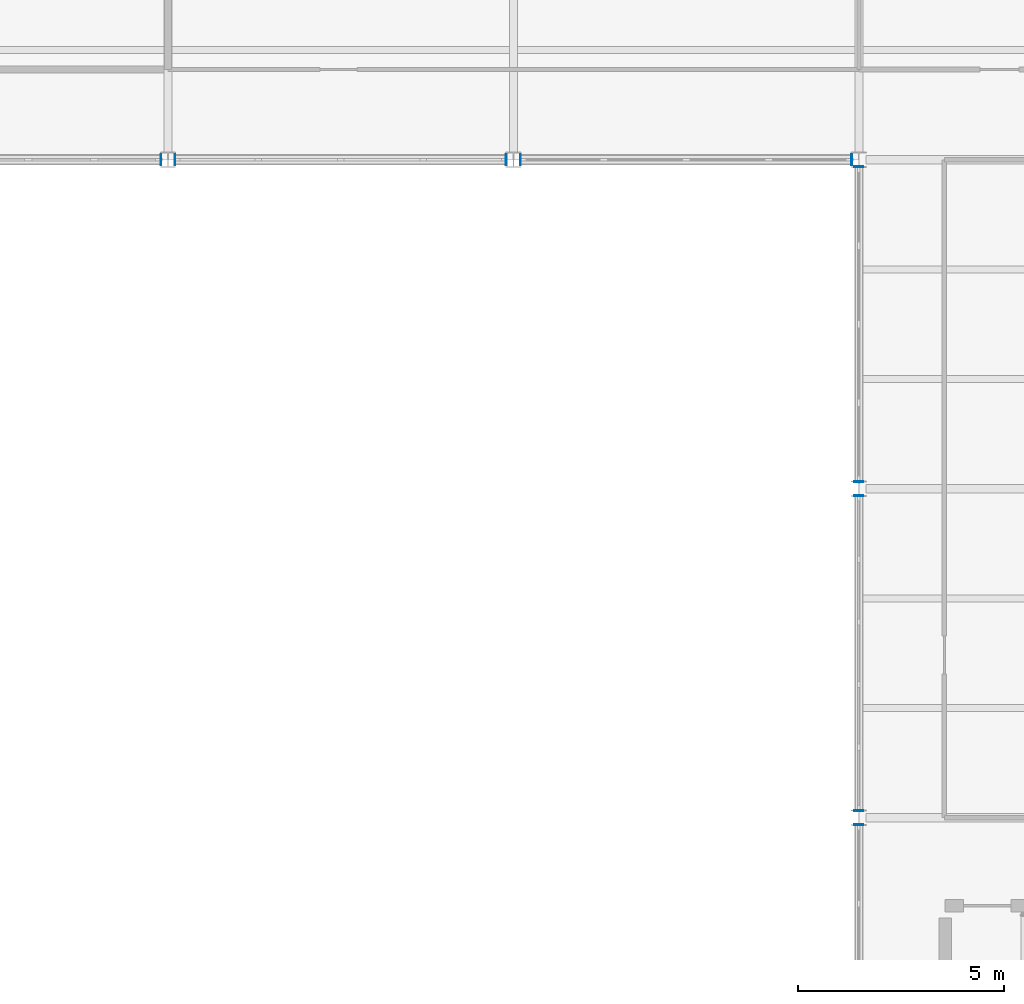
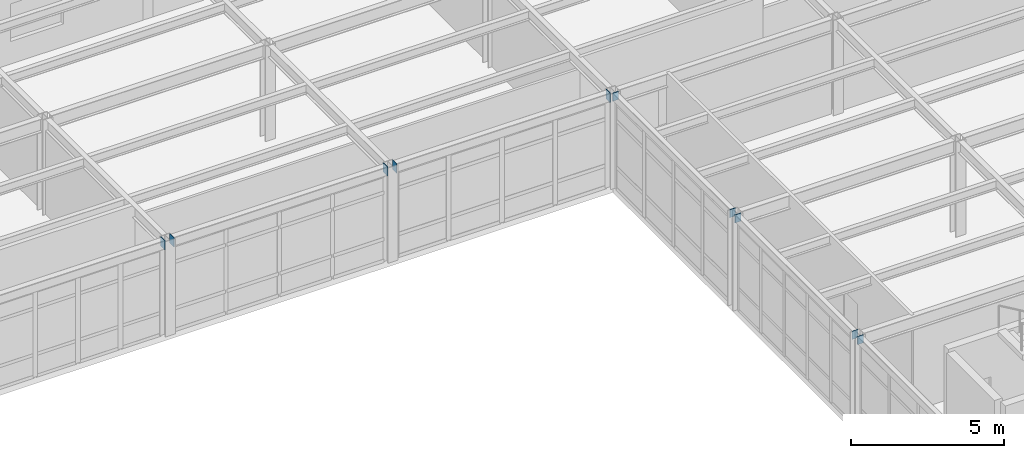
# One storey, part 123 of 138: 10 discrete accessories.
"""IFC4 building model written with IfcOpenShell, lengths in metres."""

from ifc_helpers import new_model, si_unit, direction, frame, origin, origin_2d, place, context, subcontext, project, spatial, rectangle, extrude, material, layer, layer_set, type_object, element, save


model = new_model("IFC4")

# Units and contexts
model_context = context("Model", 3, precision=1e-05, world=origin(), true_north=direction((0.0, 1.0)))
body_context = subcontext(model_context, "Body", "Model", "MODEL_VIEW")
ifc_project = project(units=[si_unit("LENGTHUNIT", "METRE"), si_unit("AREAUNIT", "SQUARE_METRE"), si_unit("VOLUMEUNIT", "CUBIC_METRE"), si_unit("PLANEANGLEUNIT", "RADIAN"), si_unit("MASSUNIT", "GRAM", prefix="KILO")], contexts=[model_context])

# Site, building, storey
site_placement = place(None, origin())
site = spatial("IfcSite", under=ifc_project, at=site_placement, CompositionType="ELEMENT")
building_placement = place(site_placement, origin())
building = spatial("IfcBuilding", under=site, at=building_placement, Name="Kranzveld Transit Interchange", CompositionType="ELEMENT")
storey_placement = place(building_placement, frame((0.0, 0.0, 5.43994140625)))
storey = spatial("IfcBuildingStorey", under=building, at=storey_placement, Name="L01", CompositionType="ELEMENT", Elevation=5.43994140625)

# Discrete accessories
ifc_material = material(Name="Steel S355JR", Category="steel")
ifc_layer = layer(ifc_material, 0.02001953125)
ifc_layer_set = layer_set([ifc_layer], Name="Steel S355JR")
discrete_accessory_type = type_object("IfcDiscreteAccessoryType", Name="Hollow Section End Cap Bracket 20 S355JR", PredefinedType="BRACKET", material=ifc_layer_set)
for number, where, z_axis, x_axis, name in (
    (1, (134.21875, 96.0, 3.625), (1.0, 0.0, 0.0), (0.0, 1.0, 0.0), "Hollow Section End Cap SP-RHS350-2"),
    (2, (134.581298828125, 96.0, 3.625), (-1.0, 0.0, 0.0), (0.0, -1.0, 0.0), "Hollow Section End Cap SP-RHS350-1"),
    (3, (142.61865234375, 96.0, 3.625), (1.0, 0.0, 0.0), (0.0, 1.0, 0.0), "Hollow Section End Cap SP-RHS350-2"),
    (4, (142.981201171875, 96.0, 3.625), (-1.0, 0.0, 0.0), (0.0, -1.0, 0.0), "Hollow Section End Cap SP-RHS350-1"),
    (5, (151.018798828125, 96.0, 3.625), (1.0, 0.0, 0.0), (0.0, 1.0, 0.0), "Hollow Section End Cap SP-RHS350-2"),
):
    element("IfcDiscreteAccessory", number, at=place(storey_placement, frame(where, z_axis=z_axis, x_axis=x_axis)), inside=storey, type_object=discrete_accessory_type, Name=name, PredefinedType="BRACKET", context=body_context, shape_type="SweptSolid", body=[
        extrude(rectangle(XDim=0.27392578125, YDim=0.3740234375, at=origin_2d()), origin(), (0.0, 0.0, 1.0), 0.02001953125),
    ])
for number, where, z_axis, x_axis, name in (
    (6, (151.199951171875, 79.818603515625, 3.650146484375), (0.0, 1.0, 0.0), (-1.0, 0.0, 0.0), "Hollow Section End Cap SP-RHS300-2"),
    (7, (151.199951171875, 80.181396484375, 3.650146484375), (0.0, -1.0, 0.0), (1.0, 0.0, 0.0), "Hollow Section End Cap SP-RHS300-1"),
    (8, (151.199951171875, 87.818603515625, 3.650146484375), (0.0, 1.0, 0.0), (-1.0, 0.0, 0.0), "Hollow Section End Cap SP-RHS300-2"),
    (9, (151.199951171875, 88.181396484375, 3.650146484375), (0.0, -1.0, 0.0), (1.0, 0.0, 0.0), "Hollow Section End Cap SP-RHS300-1"),
    (10, (151.199951171875, 95.818603515625, 3.650146484375), (0.0, 1.0, 0.0), (-1.0, 0.0, 0.0), "Hollow Section End Cap SP-RHS300-2"),
):
    element("IfcDiscreteAccessory", number, at=place(storey_placement, frame(where, z_axis=z_axis, x_axis=x_axis)), inside=storey, type_object=discrete_accessory_type, Name=name, PredefinedType="BRACKET", context=body_context, shape_type="SweptSolid", body=[
        extrude(rectangle(XDim=0.22412109375, YDim=0.323974609375, at=origin_2d()), origin(), (0.0, 0.0, 1.0), 0.02001953125),
    ])

save(model, "model.ifc")
